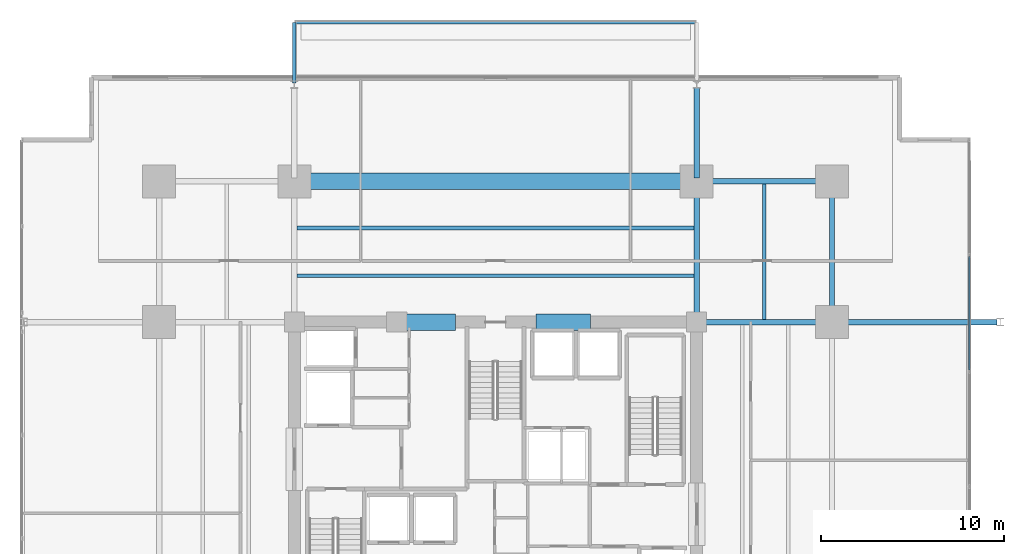
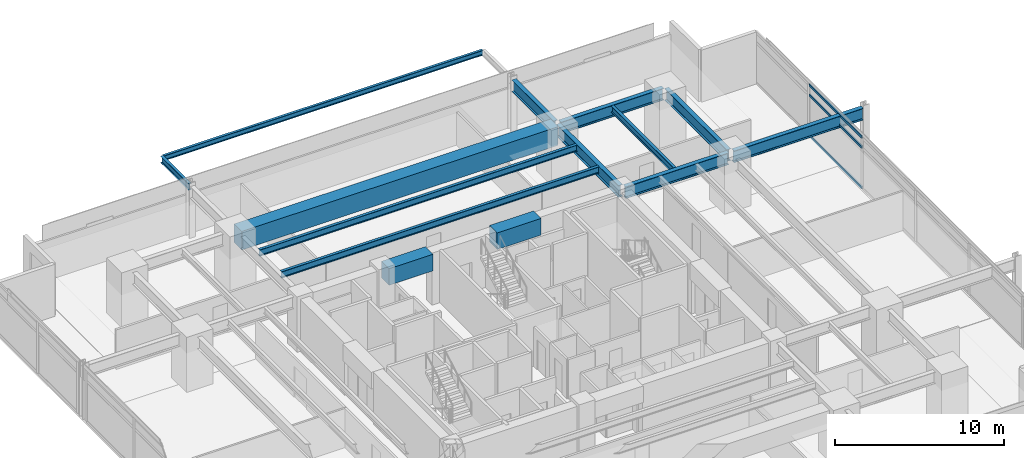
# One storey, part 12 of 23: 14 beams, 3 members, 1 element without a shape of its own.
"""IFC4 building model written with IfcOpenShell, lengths in metres."""

from ifc_helpers import new_model, si_unit, direction, frame, origin, origin_2d, place, context, subcontext, project, spatial, rectangle, hollow_rectangle, i_section, extrude, material, material_profile, profile_set, type_object, element, aggregate, save


model = new_model("IFC4")

# Units and contexts
model_context = context("Model", 3, precision=1e-05, world=origin(), true_north=direction((0.0, 1.0)))
body_context = subcontext(model_context, "Body", "Model", "MODEL_VIEW")
ifc_project = project(units=[si_unit("LENGTHUNIT", "METRE"), si_unit("AREAUNIT", "SQUARE_METRE"), si_unit("VOLUMEUNIT", "CUBIC_METRE"), si_unit("PLANEANGLEUNIT", "RADIAN"), si_unit("MASSUNIT", "GRAM", prefix="KILO")], contexts=[model_context])

# Site, building, storey
site_placement = place(None, origin())
site = spatial("IfcSite", under=ifc_project, at=site_placement, CompositionType="ELEMENT")
building_placement = place(site_placement, origin())
building = spatial("IfcBuilding", under=site, at=building_placement, Name="Kovane Verandah Tower", CompositionType="ELEMENT")
storey_placement = place(building_placement, frame((0.0, 0.0, 63.60009765625)))
storey = spatial("IfcBuildingStorey", under=building, at=storey_placement, Name="L14", CompositionType="ELEMENT", Elevation=63.60009765625)

# Beams
ifc_material_1 = material(Name="Concrete C80/95", Category="concrete")
ifc_material_profile_1 = material_profile(ifc_material_1, rectangle(XDim=0.89990234375, YDim=1.199951171875, at=origin_2d()), Name="RCB900x1200")
ifc_profile_set_1 = profile_set([ifc_material_profile_1], Name="Concrete C80/95")
beam_type_1 = type_object("IfcBeamType", Name="BM-LINTEL-900x1200", PredefinedType="LINTEL", material=ifc_profile_set_1)
for number, where, z_axis, x_axis, name in (
    (1, (34.800048828125, 36.5, 3.159912109375), (1.0, 0.0, 0.0), (0.0, 1.0, 0.0), "L14 Core Coupling Lintel CL-N1"),
    (2, (42.199951171875, 36.5, 3.159912109375), (1.0, 0.0, 0.0), (0.0, 1.0, 0.0), "L14 Core Coupling Lintel CL-N2"),
):
    element("IfcBeam", number, at=place(storey_placement, frame(where, z_axis=z_axis, x_axis=x_axis)), inside=storey, type_object=beam_type_1, Name=name, PredefinedType="LINTEL", context=body_context, shape_type="SweptSolid", body=[
        extrude(rectangle(XDim=0.89990234375, YDim=1.199951171875, at=origin_2d()), origin(), (0.0, 0.0, 1.0), 3.0),
    ])
ifc_material_profile_2 = material_profile(ifc_material_1, rectangle(XDim=0.89990234375, YDim=1.35009765625, at=origin_2d()), Name="RCB900x1350")
ifc_profile_set_2 = profile_set([ifc_material_profile_2], Name="Concrete C80/95")
beam_type_2 = type_object("IfcBeamType", Name="BM-TR-900x1350", PredefinedType="BEAM", material=ifc_profile_set_2)
beam_1_placement = place(storey_placement, frame((29.179931640625, 44.199951171875, 3.0849609375), z_axis=(1.0, 0.0, 0.0), x_axis=(0.0, 1.0, 0.0)))
element("IfcBeam", 3, at=beam_1_placement, inside=storey, type_object=beam_type_2, Name="L14 Primary Tower Girder G-RN2", PredefinedType="BEAM", context=body_context, shape_type="SweptSolid", body=[
    extrude(rectangle(XDim=0.89990234375, YDim=1.35009765625, at=origin_2d()), origin(), (0.0, 0.0, 1.0), 21.64013671875),
])
ifc_material_2 = material(Name="Steel S355", Category="steel")
ifc_material_profile_3 = material_profile(ifc_material_2, i_section(OverallWidth=0.293701171875, OverallDepth=0.850830078125, WebThickness=0.01611328125, FlangeThickness=0.02685546875, FilletRadius=0.017822265625, at=origin_2d()), Name="UB838x292x226")
ifc_profile_set_3 = profile_set([ifc_material_profile_3], Name="Steel S355")
beam_type_3 = type_object("IfcBeamType", Name="BM-UB838x226", PredefinedType="BEAM", material=ifc_profile_set_3)
beam_2_placement = place(storey_placement, frame((51.179931640625, 44.199951171875, 3.33447265625), z_axis=(1.0, 0.0, 0.0), x_axis=(0.0, 1.0, 0.0)))
element("IfcBeam", 4, at=beam_2_placement, inside=storey, type_object=beam_type_3, Name="L14 Primary Tower Girder G-RN3", PredefinedType="BEAM", context=body_context, shape_type="SweptSolid", body=[
    extrude(i_section(OverallWidth=0.293701171875, OverallDepth=0.850830078125, WebThickness=0.01611328125, FlangeThickness=0.02685546875, FilletRadius=0.017822265625, at=origin_2d()), origin(), (0.0, 0.0, 1.0), 7.0400390625),
])
beam_3_placement = place(storey_placement, frame((58.39990234375, 36.679931640625, 3.33447265625), z_axis=(0.0, 1.0, 0.0), x_axis=(-1.0, 0.0, 0.0)))
element("IfcBeam", 5, at=beam_3_placement, inside=storey, type_object=beam_type_3, Name="L14 Primary Tower Girder G-RE3", PredefinedType="BEAM", context=body_context, shape_type="SweptSolid", body=[
    extrude(i_section(OverallWidth=0.293701171875, OverallDepth=0.850830078125, WebThickness=0.01611328125, FlangeThickness=0.02685546875, FilletRadius=0.017822265625, at=origin_2d()), origin(), (0.0, 0.0, 1.0), 7.340087890625),
])
beam_4_placement = place(storey_placement, frame((51.179931640625, 36.5, 3.33447265625), z_axis=(1.0, 0.0, 0.0), x_axis=(0.0, 1.0, 0.0)))
element("IfcBeam", 6, at=beam_4_placement, inside=storey, type_object=beam_type_3, Name="L14 Primary Tower Girder G-E2", PredefinedType="BEAM", context=body_context, shape_type="SweptSolid", body=[
    extrude(i_section(OverallWidth=0.293701171875, OverallDepth=0.850830078125, WebThickness=0.01611328125, FlangeThickness=0.02685546875, FilletRadius=0.017822265625, at=origin_2d()), origin(), (0.0, 0.0, 1.0), 7.0400390625),
])
beam_5_placement = place(storey_placement, frame((51.0, 36.679931640625, 3.33447265625), z_axis=(0.0, 1.0, 0.0), x_axis=(-1.0, 0.0, 0.0)))
element("IfcBeam", 7, at=beam_5_placement, inside=storey, type_object=beam_type_3, Name="L14 Primary Tower Girder G-N2", PredefinedType="BEAM", context=body_context, shape_type="SweptSolid", body=[
    extrude(i_section(OverallWidth=0.293701171875, OverallDepth=0.850830078125, WebThickness=0.01611328125, FlangeThickness=0.02685546875, FilletRadius=0.017822265625, at=origin_2d()), origin(), (0.0, 0.0, 1.0), 7.340087890625),
])
beam_6_placement = place(storey_placement, frame((58.580078125, 36.5, 3.33447265625), z_axis=(1.0, 0.0, 0.0), x_axis=(0.0, 1.0, 0.0)))
element("IfcBeam", 8, at=beam_6_placement, inside=storey, type_object=beam_type_3, Name="L14 Primary Tower Girder G-VE2", PredefinedType="BEAM", context=body_context, shape_type="SweptSolid", body=[
    extrude(i_section(OverallWidth=0.293701171875, OverallDepth=0.850830078125, WebThickness=0.01611328125, FlangeThickness=0.02685546875, FilletRadius=0.017822265625, at=origin_2d()), origin(), (0.0, 0.0, 1.0), 8.83984375),
])
beam_7_placement = place(storey_placement, frame((51.0, 44.3798828125, 3.33447265625), z_axis=(0.0, 1.0, 0.0), x_axis=(-1.0, 0.0, 0.0)))
element("IfcBeam", 9, at=beam_7_placement, inside=storey, type_object=beam_type_3, Name="L14 Primary Tower Girder G-VN2", PredefinedType="BEAM", context=body_context, shape_type="SweptSolid", body=[
    extrude(i_section(OverallWidth=0.293701171875, OverallDepth=0.850830078125, WebThickness=0.01611328125, FlangeThickness=0.02685546875, FilletRadius=0.017822265625, at=origin_2d()), origin(), (0.0, 0.0, 1.0), 4.940185546875),
])

# Curtain wall, members
ifc_material_3 = material(Name="Champagne Anodised Aluminium Frame with Low-E Clear Laminated Glass", Category="aluminium")
curtain_wall_type = type_object("IfcCurtainWallType", Name="CW-SYS-02-LOW", PredefinedType="NOTDEFINED", material=ifc_material_3)
curtain_wall_placement = place(storey_placement, origin())
curtain_wall = element("IfcCurtainWall", 10, at=curtain_wall_placement, inside=storey, type_object=curtain_wall_type, Name="L14 E Unitised Curtain Wall", PredefinedType="NOTDEFINED")
ifc_material_4 = material(Name="Champagne Anodised Aluminium 6063-T6", Category="aluminium")
ifc_material_profile_4 = material_profile(ifc_material_4, hollow_rectangle(XDim=0.0849609375, YDim=0.18994140625, WallThickness=0.00390625, at=origin_2d()), Name="AL85x190x4")
ifc_profile_set_4 = profile_set([ifc_material_profile_4], Name="Champagne Anodised Aluminium 6063-T6")
member_type = type_object("IfcMemberType", Name="CW-TRN-85x190", PredefinedType="USERDEFINED", material=ifc_profile_set_4)
member_1_placement = place(storey_placement, frame((65.906982421875, 33.875, 0.0498046875), z_axis=(0.0, 1.0, 0.0), x_axis=(-1.0, 0.0, 0.0)))
member_1 = element("IfcMember", 11, at=member_1_placement, type_object=member_type, Name="L14 E Unitised Curtain Wall Transom TB Bay 5", ObjectType="TRANSOM", PredefinedType="USERDEFINED", context=body_context, shape_type="SweptSolid", body=[
    extrude(hollow_rectangle(XDim=0.0849609375, YDim=0.18994140625, WallThickness=0.00390625, at=origin_2d()), origin(), (0.0, 0.0, 1.0), 6.22509765625),
])
member_2_placement = place(storey_placement, frame((65.906982421875, 33.875, 2.97998046875), z_axis=(0.0, 1.0, 0.0), x_axis=(-1.0, 0.0, 0.0)))
member_2 = element("IfcMember", 12, at=member_2_placement, type_object=member_type, Name="L14 E Unitised Curtain Wall Transom TM Bay 5", ObjectType="TRANSOM", PredefinedType="USERDEFINED", context=body_context, shape_type="SweptSolid", body=[
    extrude(hollow_rectangle(XDim=0.0849609375, YDim=0.18994140625, WallThickness=0.00390625, at=origin_2d()), origin(), (0.0, 0.0, 1.0), 6.22509765625),
])
member_3_placement = place(storey_placement, frame((65.906982421875, 33.875, 3.7099609375), z_axis=(0.0, 1.0, 0.0), x_axis=(-1.0, 0.0, 0.0)))
member_3 = element("IfcMember", 13, at=member_3_placement, type_object=member_type, Name="L14 E Unitised Curtain Wall Transom TT Bay 5", ObjectType="TRANSOM", PredefinedType="USERDEFINED", context=body_context, shape_type="SweptSolid", body=[
    extrude(hollow_rectangle(XDim=0.0849609375, YDim=0.18994140625, WallThickness=0.00390625, at=origin_2d()), origin(), (0.0, 0.0, 1.0), 6.22509765625),
])
aggregate(curtain_wall, [member_1, member_2, member_3])

# Beams
ifc_material_profile_5 = material_profile(ifc_material_2, i_section(OverallWidth=0.19287109375, OverallDepth=0.46728515625, WebThickness=0.011474609375, FlangeThickness=0.01953125, FilletRadius=0.01025390625, at=origin_2d()), Name="UB457x191x98")
ifc_profile_set_5 = profile_set([ifc_material_profile_5], Name="Steel S355")
beam_type_4 = type_object("IfcBeamType", Name="JST-UB457x98", PredefinedType="JOIST", material=ifc_profile_set_5)
for number, where, z_axis, x_axis, name in (
    (14, (29.14501953125, 39.050048828125, 3.5263671875), (1.0, 0.0, 0.0), (0.0, 1.0, 0.0), "L14 Secondary Composite Joist J-N1"),
    (15, (29.14501953125, 41.64990234375, 3.5263671875), (1.0, 0.0, 0.0), (0.0, 1.0, 0.0), "L14 Secondary Composite Joist J-N2"),
):
    element("IfcBeam", number, at=place(storey_placement, frame(where, z_axis=z_axis, x_axis=x_axis)), inside=storey, type_object=beam_type_4, Name=name, PredefinedType="JOIST", context=body_context, shape_type="SweptSolid", body=[
        extrude(i_section(OverallWidth=0.19287109375, OverallDepth=0.46728515625, WebThickness=0.011474609375, FlangeThickness=0.01953125, FilletRadius=0.01025390625, at=origin_2d()), origin(), (0.0, 0.0, 1.0), 21.7099609375),
    ])
beam_8_placement = place(storey_placement, frame((54.699951171875, 36.64501953125, 3.5263671875), z_axis=(0.0, 1.0, 0.0), x_axis=(-1.0, 0.0, 0.0)))
element("IfcBeam", 16, at=beam_8_placement, inside=storey, type_object=beam_type_4, Name="L14 Secondary Composite Joist J-NE1", PredefinedType="JOIST", context=body_context, shape_type="SweptSolid", body=[
    extrude(i_section(OverallWidth=0.19287109375, OverallDepth=0.46728515625, WebThickness=0.011474609375, FlangeThickness=0.01953125, FilletRadius=0.01025390625, at=origin_2d()), origin(), (0.0, 0.0, 1.0), 7.41015625),
])
beam_9_placement = place(storey_placement, frame((29.0, 49.580078125, 3.5263671875), z_axis=(0.0, 1.0, 0.0), x_axis=(-1.0, 0.0, 0.0)))
element("IfcBeam", 17, at=beam_9_placement, inside=storey, type_object=beam_type_4, Name="L14 North Planter Girder 1", PredefinedType="JOIST", context=body_context, shape_type="SweptSolid", body=[
    extrude(i_section(OverallWidth=0.19287109375, OverallDepth=0.46728515625, WebThickness=0.011474609375, FlangeThickness=0.01953125, FilletRadius=0.01025390625, at=origin_2d()), origin(), (0.0, 0.0, 1.0), 3.310791015625),
])
ifc_material_profile_6 = material_profile(ifc_material_2, i_section(OverallWidth=0.173095703125, OverallDepth=0.36328125, WebThickness=0.009033203125, FlangeThickness=0.015625, FilletRadius=0.01025390625, at=origin_2d()), Name="UB356x171x67")
ifc_profile_set_6 = profile_set([ifc_material_profile_6], Name="Steel S355")
beam_type_5 = type_object("IfcBeamType", Name="SPD-UB356x67", PredefinedType="USERDEFINED", material=ifc_profile_set_6)
beam_10_placement = place(storey_placement, frame((29.094482421875, 52.890869140625, 3.578125), z_axis=(1.0, 0.0, 0.0), x_axis=(0.0, 1.0, 0.0)))
element("IfcBeam", 18, at=beam_10_placement, inside=storey, type_object=beam_type_5, Name="L14 North Planter Edge Spandrel", ObjectType="SPANDREL", PredefinedType="USERDEFINED", context=body_context, shape_type="SweptSolid", body=[
    extrude(i_section(OverallWidth=0.173095703125, OverallDepth=0.36328125, WebThickness=0.009033203125, FlangeThickness=0.015625, FilletRadius=0.01025390625, at=origin_2d()), origin(), (0.0, 0.0, 1.0), 21.81103515625),
])

save(model, "model.ifc")
